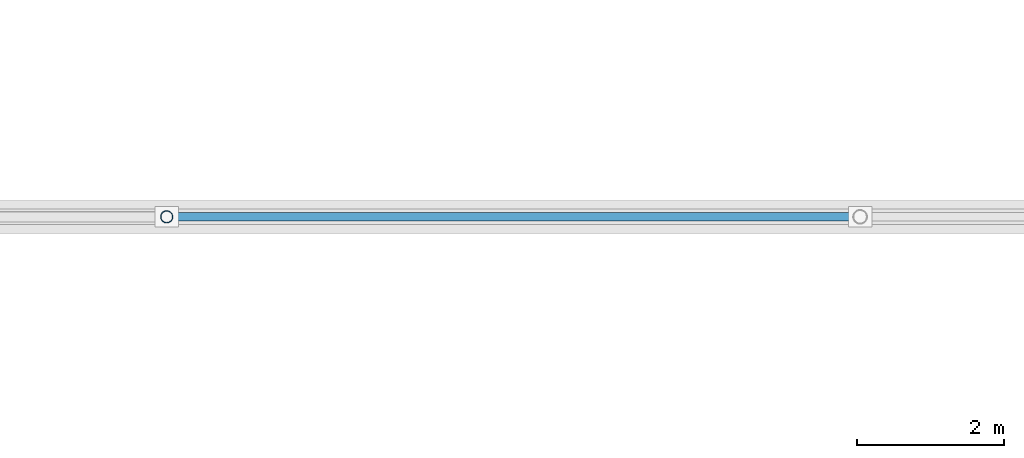
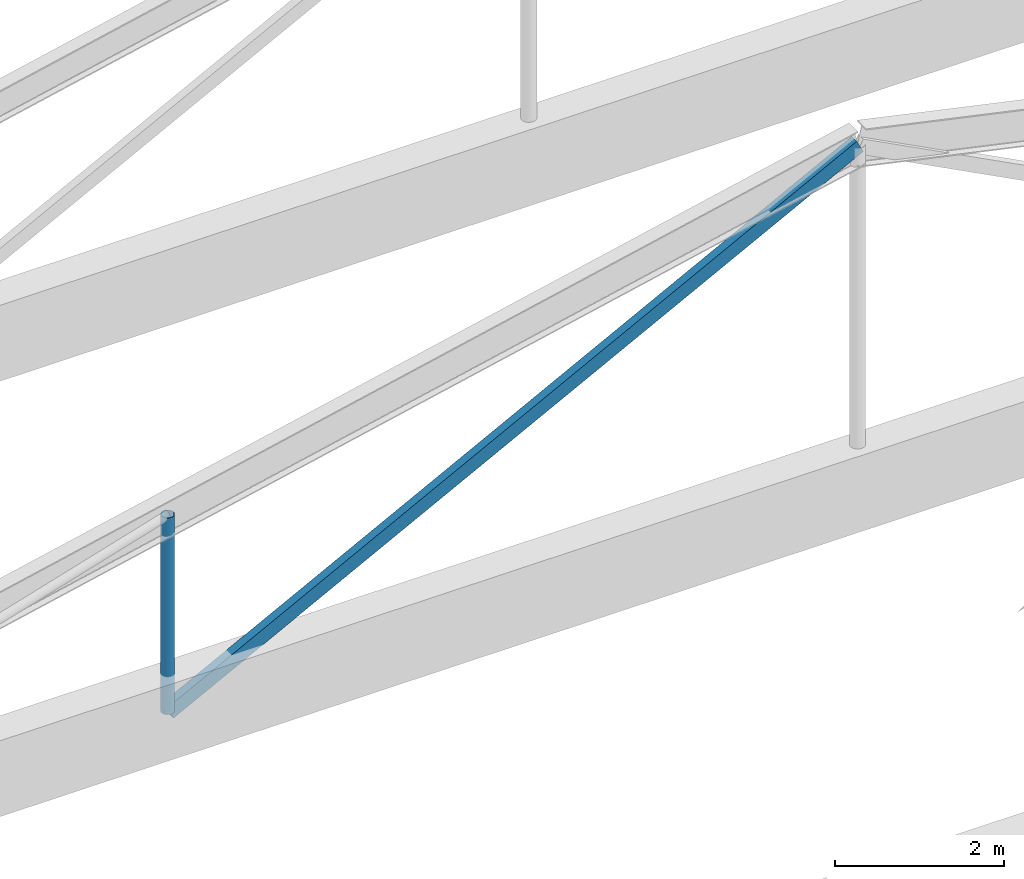
# One storey, part 24 of 105: 2 members.
"""IFC4 building model written with IfcOpenShell, lengths in metres."""

from ifc_helpers import new_model, si_unit, direction, frame, origin, origin_2d, place, context, subcontext, project, spatial, hollow_rectangle, hollow_circle, extrude, material, material_profile, profile_set, type_object, element, save


model = new_model("IFC4")

# Units and contexts
model_context = context("Model", 3, precision=1e-05, world=origin(), true_north=direction((0.0, 1.0)))
body_context = subcontext(model_context, "Body", "Model", "MODEL_VIEW")
ifc_project = project(units=[si_unit("LENGTHUNIT", "METRE"), si_unit("AREAUNIT", "SQUARE_METRE"), si_unit("VOLUMEUNIT", "CUBIC_METRE"), si_unit("PLANEANGLEUNIT", "RADIAN"), si_unit("MASSUNIT", "GRAM", prefix="KILO")], contexts=[model_context])

# Site, building, storey
site_placement = place(None, origin())
site = spatial("IfcSite", under=ifc_project, at=site_placement, CompositionType="ELEMENT")
building_placement = place(site_placement, origin())
building = spatial("IfcBuilding", under=site, at=building_placement, Name="Pelvatis Terrace Science Centre", CompositionType="ELEMENT")
storey_placement = place(building_placement, frame((0.0, 0.0, 10.199951171875)))
storey = spatial("IfcBuildingStorey", under=building, at=storey_placement, Name="L02", CompositionType="ELEMENT", Elevation=10.199951171875)

# Members
ifc_material_1 = material(Name="Structural steel S355", Category="steel")
ifc_material_profile_1 = material_profile(ifc_material_1, hollow_rectangle(XDim=0.1201171875, YDim=0.199951171875, WallThickness=0.00634765625, at=origin_2d()), Name="RHS 200x120x6.3")
ifc_profile_set_1 = profile_set([ifc_material_profile_1], Name="Structural steel S355")
member_type_1 = type_object("IfcMemberType", Name="MEM-BRC-RHS200", PredefinedType="BRACE", material=ifc_profile_set_1)
member_1_placement = place(storey_placement, frame((17.85009765625, 93.60009765625, 3.400146484375), z_axis=(0.887757308466, 0.0, 0.46031180874), x_axis=(0.0, 1.0, 0.0)))
element("IfcMember", 1, at=member_1_placement, inside=storey, type_object=member_type_1, Name="Theatre truss 4 web 4", PredefinedType="BRACE", context=body_context, shape_type="SweptSolid", body=[
    extrude(hollow_rectangle(XDim=0.1201171875, YDim=0.199951171875, WallThickness=0.00634765625, at=origin_2d()), origin(), (0.0, 0.0, 1.0), 10.644775390625),
])
ifc_material_2 = material(Name="Structural steel S355", Category="steel")
ifc_material_profile_2 = material_profile(ifc_material_2, hollow_circle(Radius=0.084228515625, WallThickness=0.00634765625, at=origin_2d()), Name="CHS 168.3x6.3")
ifc_profile_set_2 = profile_set([ifc_material_profile_2], Name="Structural steel S355")
member_type_2 = type_object("IfcMemberType", Name="MEM-STR-CHS168", PredefinedType="STRUT", material=ifc_profile_set_2)
member_2_placement = place(storey_placement, frame((17.85009765625, 93.60009765625, 3.400146484375), z_axis=(0.0, 0.0, 1.0), x_axis=(1.0, 0.0, 0.0)))
element("IfcMember", 2, at=member_2_placement, inside=storey, type_object=member_type_2, Name="Theatre truss 4 web 1", PredefinedType="STRUT", context=body_context, shape_type="SweptSolid", body=[
    extrude(hollow_circle(Radius=0.084228515625, WallThickness=0.00634765625, at=origin_2d()), origin(), (0.0, 0.0, 1.0), 2.849853515625),
])

save(model, "model.ifc")
